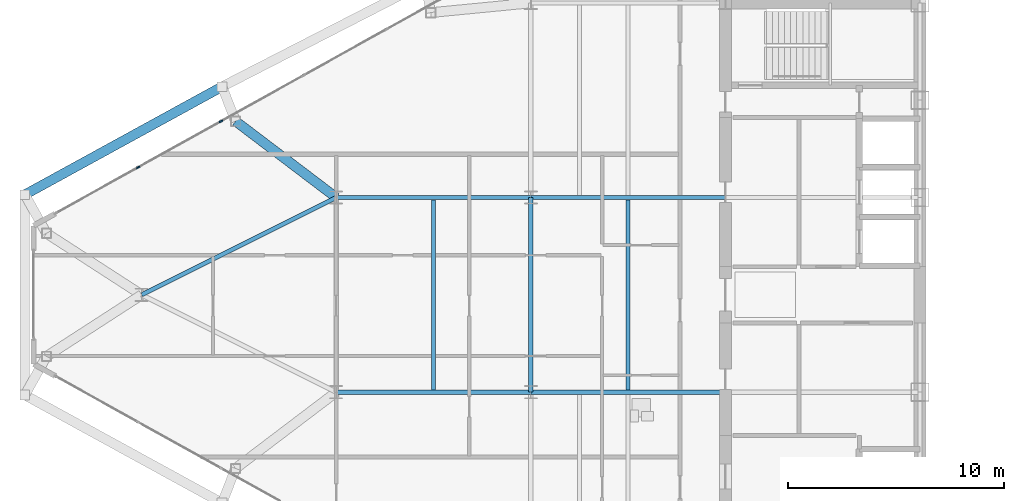
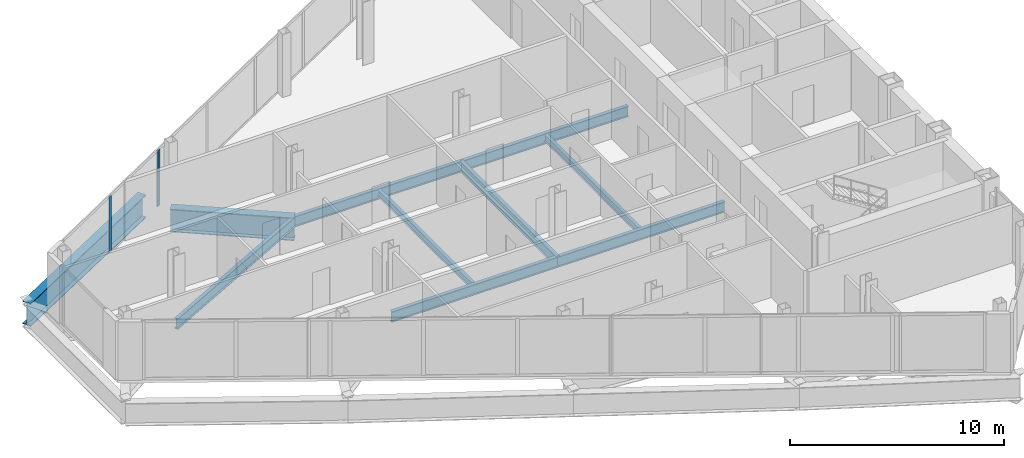
# One storey, part 6 of 28: 10 beams, 2 members, 1 element without a shape of its own.
"""IFC4 building model written with IfcOpenShell, lengths in metres."""

from ifc_helpers import new_model, si_unit, direction, frame, origin, origin_2d, place, context, subcontext, project, spatial, rectangle, i_section, extrude, source, transform, mapped, material, layer, layer_set, material_profile, profile_set, type_object, type_shapes, element, aggregate, save


model = new_model("IFC4")

# Units and contexts
model_context = context("Model", 3, precision=1e-05, world=origin(), true_north=direction((0.0, 1.0)))
body_context = subcontext(model_context, "Body", "Model", "MODEL_VIEW")
ifc_project = project(units=[si_unit("LENGTHUNIT", "METRE"), si_unit("AREAUNIT", "SQUARE_METRE"), si_unit("VOLUMEUNIT", "CUBIC_METRE"), si_unit("PLANEANGLEUNIT", "RADIAN"), si_unit("MASSUNIT", "GRAM", prefix="KILO")], contexts=[model_context])

# Site, building, storey
site_placement = place(None, origin())
site = spatial("IfcSite", under=ifc_project, at=site_placement, CompositionType="ELEMENT")
building_placement = place(site_placement, origin())
building = spatial("IfcBuilding", under=site, at=building_placement, Name="Seokmaru Belvedere", CompositionType="ELEMENT")
storey_placement = place(building_placement, frame((0.0, 0.0, 158.39990234375)))
storey = spatial("IfcBuildingStorey", under=building, at=storey_placement, Name="L42", CompositionType="ELEMENT", Elevation=158.39990234375)

# Beams
ifc_material_1 = material(Name="Steel SM355 (355 MPa)", Category="steel")
ifc_material_profile_1 = material_profile(ifc_material_1, i_section(OverallWidth=0.199951171875, OverallDepth=0.60009765625, WebThickness=0.010986328125, FlangeThickness=0.01708984375, at=origin_2d()), Name="H-600x200x11x17")
ifc_profile_set_1 = profile_set([ifc_material_profile_1], Name="Steel SM355 (355 MPa)")
beam_type_1 = type_object("IfcBeamType", Name="Primary Floor Girder H-600", PredefinedType="BEAM", material=ifc_profile_set_1)
shared_shape_1 = source(origin(), body_context, "Body", "SweptSolid", [
    extrude(i_section(OverallWidth=0.199951171875, OverallDepth=0.60009765625, WebThickness=0.010986328125, FlangeThickness=0.01708984375, at=origin_2d()), origin(), (0.0, 0.0, 1.0), 9.0),
])
for number, where, z_axis, x_axis, name in (
    (1, (-45.5, -4.5, -0.52001953125), (0.0, 1.0, 0.0), (-1.0, 0.0, 0.0), "L42 W Interior Grid Girder 2"),
    (2, (-45.5, -4.5, -0.52001953125), (1.0, 0.0, 0.0), (0.0, 1.0, 0.0), "L42 W Wing Primary Girder 2"),
    (3, (-45.5, 4.5, -0.52001953125), (1.0, 0.0, 0.0), (0.0, 1.0, 0.0), "L42 W Wing Primary Girder 3"),
    (4, (-54.5, -4.5, -0.52001953125), (1.0, 0.0, 0.0), (0.0, 1.0, 0.0), "L42 W Outer Wing Girder 1"),
    (5, (-54.5, 4.5, -0.52001953125), (1.0, 0.0, 0.0), (0.0, 1.0, 0.0), "L42 W Outer Wing Girder 2"),
):
    element("IfcBeam", number, at=place(storey_placement, frame(where, z_axis=z_axis, x_axis=x_axis)), inside=storey, type_object=beam_type_1, Name=name, PredefinedType="BEAM", context=body_context, shape_type="MappedRepresentation", body=[
        mapped(shared_shape_1, transform((0.0, 0.0, 0.0), scale=1.0)),
    ])
shared_shape_2 = source(origin(), body_context, "Body", "SweptSolid", [
    extrude(i_section(OverallWidth=0.199951171875, OverallDepth=0.60009765625, WebThickness=0.010986328125, FlangeThickness=0.01708984375, at=origin_2d()), origin(), (0.0, 0.0, 1.0), 10.062255859375),
])
type_shapes(beam_type_1, [shared_shape_1, shared_shape_2])
beam_1_placement = place(storey_placement, frame((-54.5, 4.5, -0.52001953125), z_axis=(-0.894427191, -0.4472135955, 0.0), x_axis=(0.4472135955, -0.894427191, 0.0)))
element("IfcBeam", 6, at=beam_1_placement, inside=storey, type_object=beam_type_1, Name="L42 W Apex Converging Girder 2", PredefinedType="BEAM", context=body_context, shape_type="MappedRepresentation", body=[
    mapped(shared_shape_2, transform((0.0, 0.0, 0.0), scale=1.0)),
])
ifc_material_profile_2 = material_profile(ifc_material_1, i_section(OverallWidth=0.18505859375, OverallDepth=0.389892578125, WebThickness=0.008056640625, FlangeThickness=0.011962890625, at=origin_2d()), Name="H-390x185x8x12")
ifc_profile_set_2 = profile_set([ifc_material_profile_2], Name="Steel SM355 (355 MPa)")
beam_type_2 = type_object("IfcBeamType", Name="Secondary Floor Joist H-350", PredefinedType="JOIST", material=ifc_profile_set_2)
shared_shape_3 = source(origin(), body_context, "Body", "SweptSolid", [
    extrude(i_section(OverallWidth=0.18505859375, OverallDepth=0.389892578125, WebThickness=0.008056640625, FlangeThickness=0.011962890625, at=origin_2d()), origin(), (0.0, 0.0, 1.0), 8.7900390625),
])
type_shapes(beam_type_2, [shared_shape_3])
for number, where, z_axis, x_axis, name in (
    (7, (-41.0, -4.39501953125, -0.414794921875), (0.0, 1.0, 0.0), (-1.0, 0.0, 0.0), "L42 W Secondary Floor Joist 2"),
    (8, (-50.0, -4.39501953125, -0.414794921875), (0.0, 1.0, 0.0), (-1.0, 0.0, 0.0), "L42 W Outer Bay Secondary Joist"),
):
    element("IfcBeam", number, at=place(storey_placement, frame(where, z_axis=z_axis, x_axis=x_axis)), inside=storey, type_object=beam_type_2, Name=name, PredefinedType="JOIST", context=body_context, shape_type="MappedRepresentation", body=[
        mapped(shared_shape_3, transform((0.0, 0.0, 0.0), scale=1.0)),
    ])
ifc_material_2 = material(Name="Steel HSA650 (650 MPa)", Category="steel")
ifc_material_profile_3 = material_profile(ifc_material_2, i_section(OverallWidth=0.449951171875, OverallDepth=1.300048828125, WebThickness=0.02197265625, FlangeThickness=0.0380859375, at=origin_2d()), Name="BH-1300x450x22x38")
ifc_profile_set_3 = profile_set([ifc_material_profile_3], Name="Steel HSA650 (650 MPa)")
beam_type_3 = type_object("IfcBeamType", Name="Observatory Long-Span Roof Girder BH-1300", PredefinedType="BEAM", material=ifc_profile_set_3)
shared_shape_4 = source(origin(), body_context, "Body", "SweptSolid", [
    extrude(i_section(OverallWidth=0.449951171875, OverallDepth=1.300048828125, WebThickness=0.02197265625, FlangeThickness=0.0380859375, at=origin_2d()), origin(), (0.0, 0.0, 1.0), 10.399658203125),
])
beam_2_placement = place(storey_placement, frame((-59.778564453125, 9.62890625, -0.869873046875), z_axis=(-0.877082374422, -0.480339992587, 0.0), x_axis=(0.480339992587, -0.877082374422, 0.0)))
element("IfcBeam", 9, at=beam_2_placement, inside=storey, type_object=beam_type_3, Name="L42 W Faceted Flank Spandrel N-4", PredefinedType="BEAM", context=body_context, shape_type="MappedRepresentation", body=[
    mapped(shared_shape_4, transform((0.0, 0.0, 0.0), scale=1.0)),
])
shared_shape_5 = source(origin(), body_context, "Body", "SweptSolid", [
    extrude(i_section(OverallWidth=0.449951171875, OverallDepth=1.300048828125, WebThickness=0.02197265625, FlangeThickness=0.0380859375, at=origin_2d()), origin(), (0.0, 0.0, 1.0), 5.842529296875),
])
type_shapes(beam_type_3, [shared_shape_4, shared_shape_5])
beam_3_placement = place(storey_placement, frame((-59.154541015625, 8.031494140625, -0.869873046875), z_axis=(0.796653109879, -0.604436781243, 0.0), x_axis=(0.604436781243, 0.796653109879, 0.0)))
element("IfcBeam", 10, at=beam_3_placement, inside=storey, type_object=beam_type_3, Name="L42 W Flank Setback Back-Span Girder N-3", PredefinedType="BEAM", context=body_context, shape_type="MappedRepresentation", body=[
    mapped(shared_shape_5, transform((0.0, 0.0, 0.0), scale=1.0)),
])

# Curtain wall, members
ifc_material_3 = material(Name="Bronze Triple Insulating Glass", Category="glass")
ifc_layer = layer(ifc_material_3, 0.179931640625)
ifc_layer_set = layer_set([ifc_layer], Name="Bronze Triple Insulating Glass")
curtain_wall_type = type_object("IfcCurtainWallType", Name="High-Rise Wind-Corner Curtain Wall System CW-5", PredefinedType="NOTDEFINED", material=ifc_layer_set)
curtain_wall_placement = place(storey_placement, origin())
curtain_wall = element("IfcCurtainWall", 11, at=curtain_wall_placement, inside=storey, type_object=curtain_wall_type, Name="L42 Curtain Wall WF3", PredefinedType="NOTDEFINED")
ifc_material_4 = material(Name="Anodised Bronze Aluminium", Category="aluminium")
ifc_material_profile_4 = material_profile(ifc_material_4, rectangle(XDim=0.06494140625, YDim=0.179931640625, at=origin_2d()), Name="CW-M-65x180")
ifc_profile_set_4 = profile_set([ifc_material_profile_4], Name="Anodised Bronze Aluminium")
member_type = type_object("IfcMemberType", Name="Bronze Unitised Mullion 65x180", PredefinedType="MULLION", material=ifc_profile_set_4)
shared_shape_6 = source(origin(), body_context, "Body", "SweptSolid", [
    extrude(rectangle(XDim=0.06494140625, YDim=0.179931640625, at=origin_2d()), origin(), (0.0, 0.0, 1.0), 3.2099609375),
])
type_shapes(member_type, [shared_shape_6])
member_1_placement = place(storey_placement, frame((-59.83056640625, 8.021728515625, 0.065185546875), z_axis=(0.0, 0.0, 1.0), x_axis=(0.486047125147, -0.873932601598, 0.0)))
member_1 = element("IfcMember", 12, at=member_1_placement, type_object=member_type, Name="CW:L42:WF3 Mullion 8", PredefinedType="MULLION", context=body_context, shape_type="MappedRepresentation", body=[
    mapped(shared_shape_6, transform((0.0, 0.0, 0.0), scale=1.0)),
])
member_2_placement = place(storey_placement, frame((-63.662841796875, 5.890380859375, 0.065185546875), z_axis=(0.0, 0.0, 1.0), x_axis=(0.486047125147, -0.873932601598, 0.0)))
member_2 = element("IfcMember", 13, at=member_2_placement, type_object=member_type, Name="CW:L42:WF3 Mullion 9", PredefinedType="MULLION", context=body_context, shape_type="MappedRepresentation", body=[
    mapped(shared_shape_6, transform((0.0, 0.0, 0.0), scale=1.0)),
])
aggregate(curtain_wall, [member_1, member_2])

save(model, "model.ifc")
